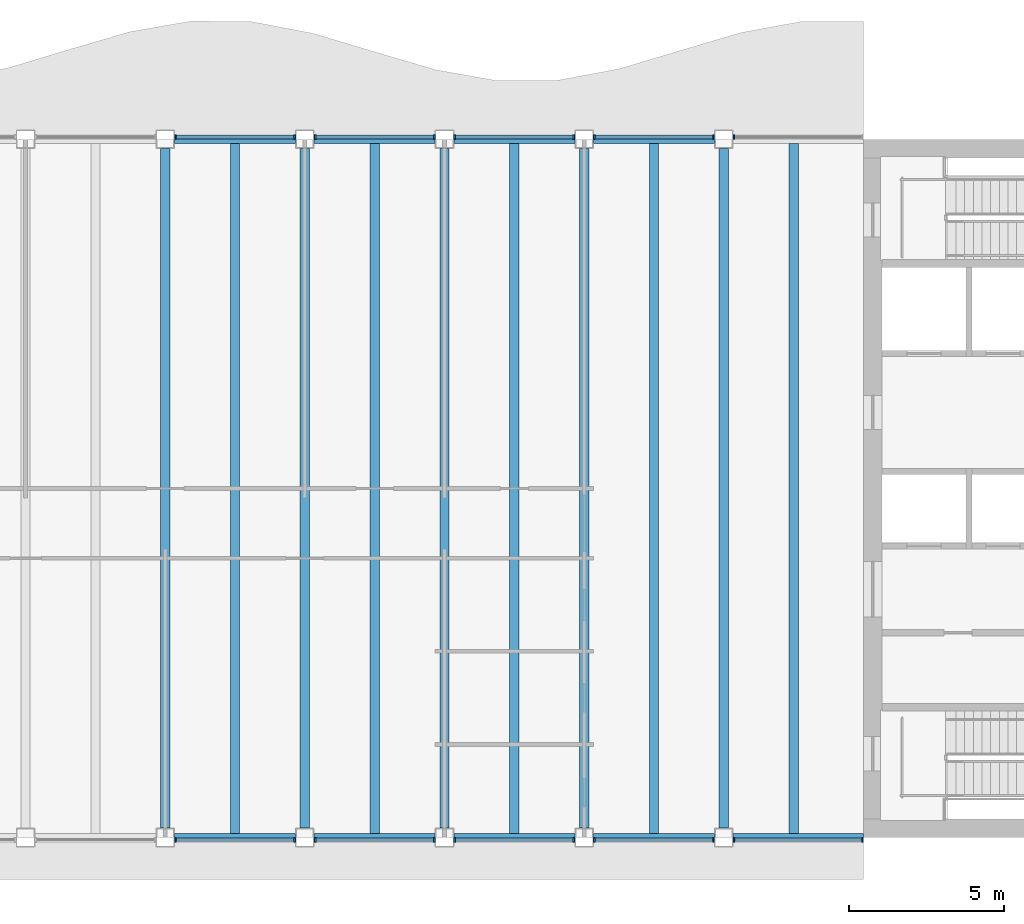
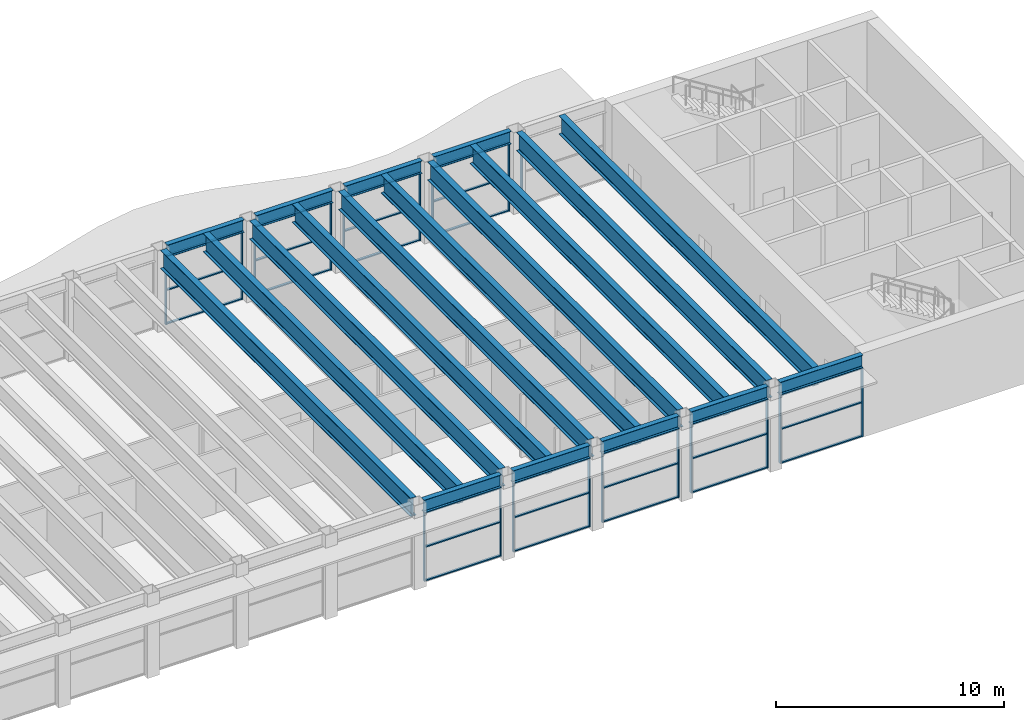
# One storey, part 5 of 14: 46 members, 19 beams, 10 elements without a shape of their own.
"""IFC4 building model written with IfcOpenShell, lengths in metres."""

import ifcopenshell
import ifcopenshell.guid

model = None  # the IFC model being written
_history = None  # IfcOwnerHistory: only IFC2X3 demands one
_inside = {}  # id of a spatial element -> (the spatial element, [elements in it])
_under = {}  # id of a project, library or spatial element -> (it, [spatial elements below it])
_declared = {}  # id of a project -> (the project, [libraries it declares])
_typed = {}  # id of a type object -> (the type object, [elements of that type])
_made_of = {}  # id of a material, layer set ... -> (it, [elements and type objects made of it])


def new_model(schema):
    """Start an empty IFC model of exactly this schema.

    Asked for "IFC4X3", IfcOpenShell would pick the latest addendum, in which some entities
    have other attributes; the version numbers below select the first issue.
    IFC2X3 requires an IfcOwnerHistory on every rooted entity: one is made here for all.
    """
    global model, _history
    if schema == "IFC4X3":
        model = ifcopenshell.file(schema_version=(4, 3, 0, 0))
    else:
        model = ifcopenshell.file(schema=schema)
    _inside.clear()
    _under.clear()
    _declared.clear()
    _typed.clear()
    _made_of.clear()
    _history = None
    if model.schema == "IFC2X3":
        org = make("IfcOrganization", Name="unknown")
        user = make(
            "IfcPersonAndOrganization",
            ThePerson=make("IfcPerson", FamilyName="unknown"),
            TheOrganization=org,
        )
        app = make(
            "IfcApplication",
            ApplicationDeveloper=org,
            Version="unknown",
            ApplicationFullName="unknown",
            ApplicationIdentifier="unknown",
        )
        _history = make(
            "IfcOwnerHistory",
            OwningUser=user,
            OwningApplication=app,
            ChangeAction="ADDED",
            CreationDate=0,
        )
    return model


def make(cls, **values):
    """One entity of the class cls with the attributes given. An attribute that is None is left unset."""
    return model.create_entity(
        cls, **{name: value for name, value in values.items() if value is not None}
    )


def rooted(cls, **values):
    """An entity with a GlobalId (a new one), such as an element, a storey or a relation."""
    return make(cls, GlobalId=ifcopenshell.guid.new(), OwnerHistory=_history, **values)


def si_unit(unit_type, name, prefix=None):
    """IfcSIUnit, for example si_unit("LENGTHUNIT", "METRE", prefix="MILLI")."""
    return make("IfcSIUnit", UnitType=unit_type, Prefix=prefix, Name=name)


def assignment(units):
    """IfcUnitAssignment: the units of a project."""
    return None if units is None else make("IfcUnitAssignment", Units=units)


def point(xyz):
    """IfcCartesianPoint."""
    return None if xyz is None else make("IfcCartesianPoint", Coordinates=xyz)


def direction(xyz):
    """IfcDirection."""
    return None if xyz is None else make("IfcDirection", DirectionRatios=xyz)


def frame(location, z_axis=None, x_axis=None):
    """IfcAxis2Placement3D, a coordinate frame: its origin and axes. An axis left out is left unset."""
    return make(
        "IfcAxis2Placement3D",
        Location=point(location),
        Axis=direction(z_axis),
        RefDirection=direction(x_axis),
    )


def frame_2d(location, x_axis=None):
    """IfcAxis2Placement2D, a coordinate frame in the plane: its origin and x axis."""
    return make(
        "IfcAxis2Placement2D", Location=point(location), RefDirection=direction(x_axis)
    )


def origin():
    """The frame at (0, 0, 0) with its axes left unset."""
    return frame((0.0, 0.0, 0.0))


def origin_2d():
    """The frame at (0, 0) in the plane with its x axis left unset."""
    return frame_2d((0.0, 0.0))


def place(relative_to, where):
    """IfcLocalPlacement: puts the frame where relative to a parent placement (None: the world)."""
    return make(
        "IfcLocalPlacement", PlacementRelTo=relative_to, RelativePlacement=where
    )


def context(
    kind, dimensions, precision=None, world=None, true_north=None, identifier=None
):
    """IfcGeometricRepresentationContext, for example the 3D "Model" context."""
    return make(
        "IfcGeometricRepresentationContext",
        ContextIdentifier=identifier,
        ContextType=kind,
        CoordinateSpaceDimension=dimensions,
        Precision=precision,
        WorldCoordinateSystem=world,
        TrueNorth=true_north,
    )


def subcontext(parent, identifier, kind, view, scale=None):
    """IfcGeometricRepresentationSubContext, for example "Body" below "Model"."""
    return make(
        "IfcGeometricRepresentationSubContext",
        ContextIdentifier=identifier,
        ContextType=kind,
        ParentContext=parent,
        TargetScale=scale,
        TargetView=view,
    )


def project(units=None, contexts=None):
    """IfcProject with its units and contexts."""
    return rooted(
        "IfcProject",
        Name="project",
        RepresentationContexts=contexts,
        UnitsInContext=assignment(units),
    )


def spatial(cls, under=None, at=None, **own):
    """A site, building, storey or space (cls), placed at a placement, below another one or the project."""
    s = rooted(cls, ObjectPlacement=at, **own)
    if under is not None:
        _under.setdefault(under.id(), (under, []))[1].append(s)
    return s


def profile(cls, at=None, kind="AREA", **sizes):
    """A parametric profile (cls). Its sizes go by their IFC names, for example OverallWidth=200.0."""
    return make(cls, ProfileType=kind, Position=at, **sizes)


def rectangle(**sizes):
    """IfcRectangleProfileDef."""
    return profile("IfcRectangleProfileDef", **sizes)


def i_section(**sizes):
    """IfcIShapeProfileDef."""
    return profile("IfcIShapeProfileDef", **sizes)


def extrude(swept, where, along, depth):
    """IfcExtrudedAreaSolid: the profile swept, set in the frame where, extruded along a direction by depth."""
    return make(
        "IfcExtrudedAreaSolid",
        SweptArea=swept,
        Position=where,
        ExtrudedDirection=direction(along),
        Depth=depth,
    )


def shape(context_of_items, identifier, shape_type, items):
    """IfcShapeRepresentation: the items that make up one representation, for example the "Body"."""
    return make(
        "IfcShapeRepresentation",
        ContextOfItems=context_of_items,
        RepresentationIdentifier=identifier,
        RepresentationType=shape_type,
        Items=items,
    )


def material(Name=None, Category=None):
    """IfcMaterial."""
    return make("IfcMaterial", Name=Name, Category=Category)


def material_profile(
    of_material, cross_section, Name=None, Category=None, Priority=None
):
    """IfcMaterialProfile: a cross section and its material."""
    return make(
        "IfcMaterialProfile",
        Name=Name,
        Material=of_material,
        Profile=cross_section,
        Priority=Priority,
        Category=Category,
    )


def profile_set(profiles, Name=None, composite=None):
    """IfcMaterialProfileSet."""
    return make(
        "IfcMaterialProfileSet",
        Name=Name,
        MaterialProfiles=profiles,
        CompositeProfile=composite,
    )


def made_of(thing, what):
    """Note that an element or type object is made of a material, layer set ...; save() writes the relation."""
    if what is not None:
        _made_of.setdefault(what.id(), (what, []))[1].append(thing)
    return thing


def type_object(cls, material=None, **own):
    """A type object (cls), such as IfcWallType, which elements share."""
    return made_of(rooted(cls, **own), material)


def element(
    cls,
    number,
    at=None,
    inside=None,
    cuts=None,
    type_object=None,
    material=None,
    context=None,
    identifier="Body",
    shape_type=None,
    held_by="IfcProductDefinitionShape",
    body=None,
    shapes=None,
    **own,
):
    """One element of the class cls, such as IfcWall. Its Tag is "e" and its number.

    at: its placement. inside: the storey or other place that contains it. cuts: it is an
    opening in that element (IfcRelVoidsElement). A single representation is given by context,
    identifier, shape_type and body (its items); several are given by shapes. held_by: the class
    of the entity that holds the representations. save() writes the other relations.
    """
    e = rooted(cls, Tag="e%d" % number, ObjectPlacement=at, **own)
    if body is not None:
        shapes = [shape(context, identifier, shape_type, body)]
    if shapes is not None:
        e.Representation = make(held_by, Representations=shapes)
    if inside is not None:
        _inside.setdefault(inside.id(), (inside, []))[1].append(e)
    if cuts is not None:
        rooted(
            "IfcRelVoidsElement", RelatingBuildingElement=cuts, RelatedOpeningElement=e
        )
    if type_object is not None:
        _typed.setdefault(type_object.id(), (type_object, []))[1].append(e)
    return made_of(e, material)


def aggregate(whole, parts):
    """IfcRelAggregates: a whole, such as a stair, and the parts it consists of."""
    return rooted("IfcRelAggregates", RelatingObject=whole, RelatedObjects=parts)


def save(model, path):
    """Write the relations noted so far, then the file.

    IfcRelAggregates (storeys below a building ...), IfcRelContainedInSpatialStructure (elements
    in a storey), IfcRelDefinesByType, IfcRelAssociatesMaterial and IfcRelDeclares: one each for
    every whole, place, type object, material and project.
    """
    for whole, parts in _under.values():
        aggregate(whole, parts)
    for where, things in _inside.values():
        rooted(
            "IfcRelContainedInSpatialStructure",
            RelatedElements=things,
            RelatingStructure=where,
        )
    for kind, things in _typed.values():
        rooted("IfcRelDefinesByType", RelatedObjects=things, RelatingType=kind)
    for what, things in _made_of.values():
        rooted("IfcRelAssociatesMaterial", RelatedObjects=things, RelatingMaterial=what)
    for by, libraries in _declared.values():
        rooted("IfcRelDeclares", RelatingContext=by, RelatedDefinitions=libraries)
    model.write(path)


model = new_model("IFC4")

# Units and contexts
model_context = context("Model", 3, precision=1e-05, world=origin(), true_north=direction((0.0, 1.0)))
body_context = subcontext(model_context, "Body", "Model", "MODEL_VIEW")
ifc_project = project(units=[si_unit("LENGTHUNIT", "METRE"), si_unit("AREAUNIT", "SQUARE_METRE"), si_unit("VOLUMEUNIT", "CUBIC_METRE"), si_unit("PLANEANGLEUNIT", "RADIAN"), si_unit("MASSUNIT", "GRAM", prefix="KILO")], contexts=[model_context])

# Site, building, storey
site_placement = place(None, origin())
site = spatial("IfcSite", under=ifc_project, at=site_placement, CompositionType="ELEMENT")
building_placement = place(site_placement, origin())
building = spatial("IfcBuilding", under=site, at=building_placement, Name="Sennacour Bend Tower", CompositionType="ELEMENT")
storey_placement = place(building_placement, frame((0.0, 0.0, 309.5)))
storey = spatial("IfcBuildingStorey", under=building, at=storey_placement, Name="L71", CompositionType="ELEMENT", Elevation=309.5)

# Curtain wall, members
ifc_material_1 = material(Name="Bronze anodised aluminium curtain wall with clear glass", Category="aluminium")
curtain_wall_type = type_object("IfcCurtainWallType", Name="CURTAIN WALL EXEC", PredefinedType="NOTDEFINED", material=ifc_material_1)
curtain_wall_1_placement = place(storey_placement, origin())
curtain_wall_1 = element("IfcCurtainWall", 1, at=curtain_wall_1_placement, inside=storey, type_object=curtain_wall_type, Name="Executive floor glass wall L71", PredefinedType="NOTDEFINED")
ifc_material_2 = material(Name="Aluminium 6063-T6", Category="aluminium")
ifc_material_profile_1 = material_profile(ifc_material_2, rectangle(XDim=0.14990234375, YDim=0.06005859375, at=origin_2d()), Name="Aluminium 6063-T6", Category="aluminium")
ifc_profile_set_1 = profile_set([ifc_material_profile_1], Name="Aluminium 6063-T6")
member_type_1 = type_object("IfcMemberType", Name="CW-MULLION-150X60", PredefinedType="MULLION", material=ifc_profile_set_1)
member_1_placement = place(storey_placement, frame((31.830078125, -0.074951171875, 0.0), z_axis=(0.0, 0.0, 1.0), x_axis=(0.0, 1.0, 0.0)))
member_1 = element("IfcMember", 2, at=member_1_placement, type_object=member_type_1, Name="GW3 curtain wall mullion 1", PredefinedType="MULLION", context=body_context, shape_type="SweptSolid", body=[
    extrude(rectangle(XDim=0.14990234375, YDim=0.06005859375, at=origin_2d()), origin(), (0.0, 0.0, 1.0), 3.672119140625),
])
member_2_placement = place(storey_placement, frame((35.669921875, -0.074951171875, 0.0), z_axis=(0.0, 0.0, 1.0), x_axis=(0.0, 1.0, 0.0)))
member_2 = element("IfcMember", 3, at=member_2_placement, type_object=member_type_1, Name="GW3 curtain wall mullion 2", PredefinedType="MULLION", context=body_context, shape_type="SweptSolid", body=[
    extrude(rectangle(XDim=0.14990234375, YDim=0.06005859375, at=origin_2d()), origin(), (0.0, 0.0, 1.0), 3.672119140625),
])

curtain_wall_2_placement = place(storey_placement, origin())
curtain_wall_2 = element("IfcCurtainWall", 4, at=curtain_wall_2_placement, inside=storey, type_object=curtain_wall_type, Name="Executive floor glass wall L71", PredefinedType="NOTDEFINED")
member_3_placement = place(storey_placement, frame((36.330078125, -0.074951171875, 0.0), z_axis=(0.0, 0.0, 1.0), x_axis=(0.0, 1.0, 0.0)))
member_3 = element("IfcMember", 5, at=member_3_placement, type_object=member_type_1, Name="GW3 curtain wall mullion 1", PredefinedType="MULLION", context=body_context, shape_type="SweptSolid", body=[
    extrude(rectangle(XDim=0.14990234375, YDim=0.06005859375, at=origin_2d()), origin(), (0.0, 0.0, 1.0), 3.672119140625),
])
member_4_placement = place(storey_placement, frame((40.169921875, -0.074951171875, 0.0), z_axis=(0.0, 0.0, 1.0), x_axis=(0.0, 1.0, 0.0)))
member_4 = element("IfcMember", 6, at=member_4_placement, type_object=member_type_1, Name="GW3 curtain wall mullion 2", PredefinedType="MULLION", context=body_context, shape_type="SweptSolid", body=[
    extrude(rectangle(XDim=0.14990234375, YDim=0.06005859375, at=origin_2d()), origin(), (0.0, 0.0, 1.0), 3.672119140625),
])

curtain_wall_3_placement = place(storey_placement, origin())
curtain_wall_3 = element("IfcCurtainWall", 7, at=curtain_wall_3_placement, inside=storey, type_object=curtain_wall_type, Name="Executive floor glass wall L71", PredefinedType="NOTDEFINED")
member_5_placement = place(storey_placement, frame((40.830078125, -0.074951171875, 0.0), z_axis=(0.0, 0.0, 1.0), x_axis=(0.0, 1.0, 0.0)))
member_5 = element("IfcMember", 8, at=member_5_placement, type_object=member_type_1, Name="GW3 curtain wall mullion 1", PredefinedType="MULLION", context=body_context, shape_type="SweptSolid", body=[
    extrude(rectangle(XDim=0.14990234375, YDim=0.06005859375, at=origin_2d()), origin(), (0.0, 0.0, 1.0), 3.672119140625),
])
member_6_placement = place(storey_placement, frame((44.669921875, -0.074951171875, 0.0), z_axis=(0.0, 0.0, 1.0), x_axis=(0.0, 1.0, 0.0)))
member_6 = element("IfcMember", 9, at=member_6_placement, type_object=member_type_1, Name="GW3 curtain wall mullion 2", PredefinedType="MULLION", context=body_context, shape_type="SweptSolid", body=[
    extrude(rectangle(XDim=0.14990234375, YDim=0.06005859375, at=origin_2d()), origin(), (0.0, 0.0, 1.0), 3.672119140625),
])

curtain_wall_4_placement = place(storey_placement, origin())
curtain_wall_4 = element("IfcCurtainWall", 10, at=curtain_wall_4_placement, inside=storey, type_object=curtain_wall_type, Name="Executive floor glass wall L71", PredefinedType="NOTDEFINED")
member_7_placement = place(storey_placement, frame((45.330078125, -0.074951171875, 0.0), z_axis=(0.0, 0.0, 1.0), x_axis=(0.0, 1.0, 0.0)))
member_7 = element("IfcMember", 11, at=member_7_placement, type_object=member_type_1, Name="GW3 curtain wall mullion 1", PredefinedType="MULLION", context=body_context, shape_type="SweptSolid", body=[
    extrude(rectangle(XDim=0.14990234375, YDim=0.06005859375, at=origin_2d()), origin(), (0.0, 0.0, 1.0), 3.672119140625),
])
member_8_placement = place(storey_placement, frame((49.169921875, -0.074951171875, 0.0), z_axis=(0.0, 0.0, 1.0), x_axis=(0.0, 1.0, 0.0)))
member_8 = element("IfcMember", 12, at=member_8_placement, type_object=member_type_1, Name="GW3 curtain wall mullion 2", PredefinedType="MULLION", context=body_context, shape_type="SweptSolid", body=[
    extrude(rectangle(XDim=0.14990234375, YDim=0.06005859375, at=origin_2d()), origin(), (0.0, 0.0, 1.0), 3.672119140625),
])

curtain_wall_5_placement = place(storey_placement, origin())
curtain_wall_5 = element("IfcCurtainWall", 13, at=curtain_wall_5_placement, inside=storey, type_object=curtain_wall_type, Name="Executive floor glass wall L71", PredefinedType="NOTDEFINED")
member_9_placement = place(storey_placement, frame((49.830078125, -0.074951171875, 0.0), z_axis=(0.0, 0.0, 1.0), x_axis=(0.0, 1.0, 0.0)))
member_9 = element("IfcMember", 14, at=member_9_placement, type_object=member_type_1, Name="GW3 curtain wall mullion 1", PredefinedType="MULLION", context=body_context, shape_type="SweptSolid", body=[
    extrude(rectangle(XDim=0.14990234375, YDim=0.06005859375, at=origin_2d()), origin(), (0.0, 0.0, 1.0), 3.672119140625),
])
member_10_placement = place(storey_placement, frame((53.969970703125, -0.074951171875, 0.0), z_axis=(0.0, 0.0, 1.0), x_axis=(0.0, 1.0, 0.0)))
member_10 = element("IfcMember", 15, at=member_10_placement, type_object=member_type_1, Name="GW3 curtain wall mullion 2", PredefinedType="MULLION", context=body_context, shape_type="SweptSolid", body=[
    extrude(rectangle(XDim=0.14990234375, YDim=0.06005859375, at=origin_2d()), origin(), (0.0, 0.0, 1.0), 3.672119140625),
])

# Curtain wall, member
curtain_wall_6_placement = place(storey_placement, origin())
curtain_wall_6 = element("IfcCurtainWall", 16, at=curtain_wall_6_placement, inside=storey, type_object=curtain_wall_type, Name="Executive floor glass wall L71", PredefinedType="NOTDEFINED")
member_11_placement = place(storey_placement, frame((49.830078125, 22.574951171875, 0.0), z_axis=(0.0, 0.0, 1.0), x_axis=(0.0, -1.0, 0.0)))
member_11 = element("IfcMember", 17, at=member_11_placement, type_object=member_type_1, Name="GW3 curtain wall mullion 2", PredefinedType="MULLION", context=body_context, shape_type="SweptSolid", body=[
    extrude(rectangle(XDim=0.14990234375, YDim=0.06005859375, at=origin_2d()), origin(), (0.0, 0.0, 1.0), 3.672119140625),
])
aggregate(curtain_wall_6, [member_11])

# Curtain wall, members
curtain_wall_7_placement = place(storey_placement, origin())
curtain_wall_7 = element("IfcCurtainWall", 18, at=curtain_wall_7_placement, inside=storey, type_object=curtain_wall_type, Name="Executive floor glass wall L71", PredefinedType="NOTDEFINED")
member_12_placement = place(storey_placement, frame((49.169921875, 22.574951171875, 0.0), z_axis=(0.0, 0.0, 1.0), x_axis=(0.0, -1.0, 0.0)))
member_12 = element("IfcMember", 19, at=member_12_placement, type_object=member_type_1, Name="GW3 curtain wall mullion 1", PredefinedType="MULLION", context=body_context, shape_type="SweptSolid", body=[
    extrude(rectangle(XDim=0.14990234375, YDim=0.06005859375, at=origin_2d()), origin(), (0.0, 0.0, 1.0), 3.672119140625),
])
member_13_placement = place(storey_placement, frame((45.330078125, 22.574951171875, 0.0), z_axis=(0.0, 0.0, 1.0), x_axis=(0.0, -1.0, 0.0)))
member_13 = element("IfcMember", 20, at=member_13_placement, type_object=member_type_1, Name="GW3 curtain wall mullion 2", PredefinedType="MULLION", context=body_context, shape_type="SweptSolid", body=[
    extrude(rectangle(XDim=0.14990234375, YDim=0.06005859375, at=origin_2d()), origin(), (0.0, 0.0, 1.0), 3.672119140625),
])

curtain_wall_8_placement = place(storey_placement, origin())
curtain_wall_8 = element("IfcCurtainWall", 21, at=curtain_wall_8_placement, inside=storey, type_object=curtain_wall_type, Name="Executive floor glass wall L71", PredefinedType="NOTDEFINED")
member_14_placement = place(storey_placement, frame((44.669921875, 22.574951171875, 0.0), z_axis=(0.0, 0.0, 1.0), x_axis=(0.0, -1.0, 0.0)))
member_14 = element("IfcMember", 22, at=member_14_placement, type_object=member_type_1, Name="GW3 curtain wall mullion 1", PredefinedType="MULLION", context=body_context, shape_type="SweptSolid", body=[
    extrude(rectangle(XDim=0.14990234375, YDim=0.06005859375, at=origin_2d()), origin(), (0.0, 0.0, 1.0), 3.672119140625),
])
member_15_placement = place(storey_placement, frame((40.830078125, 22.574951171875, 0.0), z_axis=(0.0, 0.0, 1.0), x_axis=(0.0, -1.0, 0.0)))
member_15 = element("IfcMember", 23, at=member_15_placement, type_object=member_type_1, Name="GW3 curtain wall mullion 2", PredefinedType="MULLION", context=body_context, shape_type="SweptSolid", body=[
    extrude(rectangle(XDim=0.14990234375, YDim=0.06005859375, at=origin_2d()), origin(), (0.0, 0.0, 1.0), 3.672119140625),
])

curtain_wall_9_placement = place(storey_placement, origin())
curtain_wall_9 = element("IfcCurtainWall", 24, at=curtain_wall_9_placement, inside=storey, type_object=curtain_wall_type, Name="Executive floor glass wall L71", PredefinedType="NOTDEFINED")
member_16_placement = place(storey_placement, frame((40.169921875, 22.574951171875, 0.0), z_axis=(0.0, 0.0, 1.0), x_axis=(0.0, -1.0, 0.0)))
member_16 = element("IfcMember", 25, at=member_16_placement, type_object=member_type_1, Name="GW3 curtain wall mullion 1", PredefinedType="MULLION", context=body_context, shape_type="SweptSolid", body=[
    extrude(rectangle(XDim=0.14990234375, YDim=0.06005859375, at=origin_2d()), origin(), (0.0, 0.0, 1.0), 3.672119140625),
])
member_17_placement = place(storey_placement, frame((36.330078125, 22.574951171875, 0.0), z_axis=(0.0, 0.0, 1.0), x_axis=(0.0, -1.0, 0.0)))
member_17 = element("IfcMember", 26, at=member_17_placement, type_object=member_type_1, Name="GW3 curtain wall mullion 2", PredefinedType="MULLION", context=body_context, shape_type="SweptSolid", body=[
    extrude(rectangle(XDim=0.14990234375, YDim=0.06005859375, at=origin_2d()), origin(), (0.0, 0.0, 1.0), 3.672119140625),
])

curtain_wall_10_placement = place(storey_placement, origin())
curtain_wall_10 = element("IfcCurtainWall", 27, at=curtain_wall_10_placement, inside=storey, type_object=curtain_wall_type, Name="Executive floor glass wall L71", PredefinedType="NOTDEFINED")
member_18_placement = place(storey_placement, frame((35.669921875, 22.574951171875, 0.0), z_axis=(0.0, 0.0, 1.0), x_axis=(0.0, -1.0, 0.0)))
member_18 = element("IfcMember", 28, at=member_18_placement, type_object=member_type_1, Name="GW3 curtain wall mullion 1", PredefinedType="MULLION", context=body_context, shape_type="SweptSolid", body=[
    extrude(rectangle(XDim=0.14990234375, YDim=0.06005859375, at=origin_2d()), origin(), (0.0, 0.0, 1.0), 3.672119140625),
])
member_19_placement = place(storey_placement, frame((31.830078125, 22.574951171875, 0.0), z_axis=(0.0, 0.0, 1.0), x_axis=(0.0, -1.0, 0.0)))
member_19 = element("IfcMember", 29, at=member_19_placement, type_object=member_type_1, Name="GW3 curtain wall mullion 2", PredefinedType="MULLION", context=body_context, shape_type="SweptSolid", body=[
    extrude(rectangle(XDim=0.14990234375, YDim=0.06005859375, at=origin_2d()), origin(), (0.0, 0.0, 1.0), 3.672119140625),
])

# Member
ifc_material_profile_2 = material_profile(ifc_material_2, rectangle(XDim=0.1201171875, YDim=0.06005859375, at=origin_2d()), Name="Aluminium 6063-T6", Category="aluminium")
ifc_profile_set_2 = profile_set([ifc_material_profile_2], Name="Aluminium 6063-T6")
member_type_2 = type_object("IfcMemberType", Name="CW-TRANSOM-120X60", PredefinedType="USERDEFINED", material=ifc_profile_set_2)
member_20_placement = place(storey_placement, frame((31.860107421875, -0.074951171875, 0.030029296875), z_axis=(1.0, 0.0, 0.0), x_axis=(0.0, 1.0, 0.0)))
member_20 = element("IfcMember", 30, at=member_20_placement, type_object=member_type_2, Name="GW3 curtain wall transom 1.1", ObjectType="TRANSOM", PredefinedType="USERDEFINED", context=body_context, shape_type="SweptSolid", body=[
    extrude(rectangle(XDim=0.1201171875, YDim=0.06005859375, at=origin_2d()), origin(), (0.0, 0.0, 1.0), 3.77978515625),
])

member_21_placement = place(storey_placement, frame((31.860107421875, -0.074951171875, 1.8359375), z_axis=(1.0, 0.0, 0.0), x_axis=(0.0, 1.0, 0.0)))
member_21 = element("IfcMember", 31, at=member_21_placement, type_object=member_type_2, Name="GW3 curtain wall transom 1.2", ObjectType="TRANSOM", PredefinedType="USERDEFINED", context=body_context, shape_type="SweptSolid", body=[
    extrude(rectangle(XDim=0.1201171875, YDim=0.06005859375, at=origin_2d()), origin(), (0.0, 0.0, 1.0), 3.77978515625),
])

member_22_placement = place(storey_placement, frame((31.860107421875, -0.074951171875, 3.64208984375), z_axis=(1.0, 0.0, 0.0), x_axis=(0.0, 1.0, 0.0)))
member_22 = element("IfcMember", 32, at=member_22_placement, type_object=member_type_2, Name="GW3 curtain wall transom 1.3", ObjectType="TRANSOM", PredefinedType="USERDEFINED", context=body_context, shape_type="SweptSolid", body=[
    extrude(rectangle(XDim=0.1201171875, YDim=0.06005859375, at=origin_2d()), origin(), (0.0, 0.0, 1.0), 3.77978515625),
])

aggregate(curtain_wall_1, [member_1, member_2, member_20, member_21, member_22])

member_23_placement = place(storey_placement, frame((36.360107421875, -0.074951171875, 0.030029296875), z_axis=(1.0, 0.0, 0.0), x_axis=(0.0, 1.0, 0.0)))
member_23 = element("IfcMember", 33, at=member_23_placement, type_object=member_type_2, Name="GW3 curtain wall transom 1.1", ObjectType="TRANSOM", PredefinedType="USERDEFINED", context=body_context, shape_type="SweptSolid", body=[
    extrude(rectangle(XDim=0.1201171875, YDim=0.06005859375, at=origin_2d()), origin(), (0.0, 0.0, 1.0), 3.77978515625),
])

member_24_placement = place(storey_placement, frame((36.360107421875, -0.074951171875, 1.8359375), z_axis=(1.0, 0.0, 0.0), x_axis=(0.0, 1.0, 0.0)))
member_24 = element("IfcMember", 34, at=member_24_placement, type_object=member_type_2, Name="GW3 curtain wall transom 1.2", ObjectType="TRANSOM", PredefinedType="USERDEFINED", context=body_context, shape_type="SweptSolid", body=[
    extrude(rectangle(XDim=0.1201171875, YDim=0.06005859375, at=origin_2d()), origin(), (0.0, 0.0, 1.0), 3.77978515625),
])

member_25_placement = place(storey_placement, frame((36.360107421875, -0.074951171875, 3.64208984375), z_axis=(1.0, 0.0, 0.0), x_axis=(0.0, 1.0, 0.0)))
member_25 = element("IfcMember", 35, at=member_25_placement, type_object=member_type_2, Name="GW3 curtain wall transom 1.3", ObjectType="TRANSOM", PredefinedType="USERDEFINED", context=body_context, shape_type="SweptSolid", body=[
    extrude(rectangle(XDim=0.1201171875, YDim=0.06005859375, at=origin_2d()), origin(), (0.0, 0.0, 1.0), 3.77978515625),
])

aggregate(curtain_wall_2, [member_3, member_4, member_23, member_24, member_25])

member_26_placement = place(storey_placement, frame((40.860107421875, -0.074951171875, 0.030029296875), z_axis=(1.0, 0.0, 0.0), x_axis=(0.0, 1.0, 0.0)))
member_26 = element("IfcMember", 36, at=member_26_placement, type_object=member_type_2, Name="GW3 curtain wall transom 1.1", ObjectType="TRANSOM", PredefinedType="USERDEFINED", context=body_context, shape_type="SweptSolid", body=[
    extrude(rectangle(XDim=0.1201171875, YDim=0.06005859375, at=origin_2d()), origin(), (0.0, 0.0, 1.0), 3.77978515625),
])

member_27_placement = place(storey_placement, frame((40.860107421875, -0.074951171875, 1.8359375), z_axis=(1.0, 0.0, 0.0), x_axis=(0.0, 1.0, 0.0)))
member_27 = element("IfcMember", 37, at=member_27_placement, type_object=member_type_2, Name="GW3 curtain wall transom 1.2", ObjectType="TRANSOM", PredefinedType="USERDEFINED", context=body_context, shape_type="SweptSolid", body=[
    extrude(rectangle(XDim=0.1201171875, YDim=0.06005859375, at=origin_2d()), origin(), (0.0, 0.0, 1.0), 3.77978515625),
])

member_28_placement = place(storey_placement, frame((40.860107421875, -0.074951171875, 3.64208984375), z_axis=(1.0, 0.0, 0.0), x_axis=(0.0, 1.0, 0.0)))
member_28 = element("IfcMember", 38, at=member_28_placement, type_object=member_type_2, Name="GW3 curtain wall transom 1.3", ObjectType="TRANSOM", PredefinedType="USERDEFINED", context=body_context, shape_type="SweptSolid", body=[
    extrude(rectangle(XDim=0.1201171875, YDim=0.06005859375, at=origin_2d()), origin(), (0.0, 0.0, 1.0), 3.77978515625),
])

aggregate(curtain_wall_3, [member_5, member_6, member_26, member_27, member_28])

member_29_placement = place(storey_placement, frame((45.360107421875, -0.074951171875, 0.030029296875), z_axis=(1.0, 0.0, 0.0), x_axis=(0.0, 1.0, 0.0)))
member_29 = element("IfcMember", 39, at=member_29_placement, type_object=member_type_2, Name="GW3 curtain wall transom 1.1", ObjectType="TRANSOM", PredefinedType="USERDEFINED", context=body_context, shape_type="SweptSolid", body=[
    extrude(rectangle(XDim=0.1201171875, YDim=0.06005859375, at=origin_2d()), origin(), (0.0, 0.0, 1.0), 3.77978515625),
])

member_30_placement = place(storey_placement, frame((45.360107421875, -0.074951171875, 1.8359375), z_axis=(1.0, 0.0, 0.0), x_axis=(0.0, 1.0, 0.0)))
member_30 = element("IfcMember", 40, at=member_30_placement, type_object=member_type_2, Name="GW3 curtain wall transom 1.2", ObjectType="TRANSOM", PredefinedType="USERDEFINED", context=body_context, shape_type="SweptSolid", body=[
    extrude(rectangle(XDim=0.1201171875, YDim=0.06005859375, at=origin_2d()), origin(), (0.0, 0.0, 1.0), 3.77978515625),
])

member_31_placement = place(storey_placement, frame((45.360107421875, -0.074951171875, 3.64208984375), z_axis=(1.0, 0.0, 0.0), x_axis=(0.0, 1.0, 0.0)))
member_31 = element("IfcMember", 41, at=member_31_placement, type_object=member_type_2, Name="GW3 curtain wall transom 1.3", ObjectType="TRANSOM", PredefinedType="USERDEFINED", context=body_context, shape_type="SweptSolid", body=[
    extrude(rectangle(XDim=0.1201171875, YDim=0.06005859375, at=origin_2d()), origin(), (0.0, 0.0, 1.0), 3.77978515625),
])

aggregate(curtain_wall_4, [member_7, member_8, member_29, member_30, member_31])

member_32_placement = place(storey_placement, frame((49.860107421875, -0.074951171875, 0.030029296875), z_axis=(1.0, 0.0, 0.0), x_axis=(0.0, 1.0, 0.0)))
member_32 = element("IfcMember", 42, at=member_32_placement, type_object=member_type_2, Name="GW3 curtain wall transom 1.1", ObjectType="TRANSOM", PredefinedType="USERDEFINED", context=body_context, shape_type="SweptSolid", body=[
    extrude(rectangle(XDim=0.1201171875, YDim=0.06005859375, at=origin_2d()), origin(), (0.0, 0.0, 1.0), 4.079833984375),
])

member_33_placement = place(storey_placement, frame((49.860107421875, -0.074951171875, 1.8359375), z_axis=(1.0, 0.0, 0.0), x_axis=(0.0, 1.0, 0.0)))
member_33 = element("IfcMember", 43, at=member_33_placement, type_object=member_type_2, Name="GW3 curtain wall transom 1.2", ObjectType="TRANSOM", PredefinedType="USERDEFINED", context=body_context, shape_type="SweptSolid", body=[
    extrude(rectangle(XDim=0.1201171875, YDim=0.06005859375, at=origin_2d()), origin(), (0.0, 0.0, 1.0), 4.079833984375),
])

member_34_placement = place(storey_placement, frame((49.860107421875, -0.074951171875, 3.64208984375), z_axis=(1.0, 0.0, 0.0), x_axis=(0.0, 1.0, 0.0)))
member_34 = element("IfcMember", 44, at=member_34_placement, type_object=member_type_2, Name="GW3 curtain wall transom 1.3", ObjectType="TRANSOM", PredefinedType="USERDEFINED", context=body_context, shape_type="SweptSolid", body=[
    extrude(rectangle(XDim=0.1201171875, YDim=0.06005859375, at=origin_2d()), origin(), (0.0, 0.0, 1.0), 4.079833984375),
])

aggregate(curtain_wall_5, [member_9, member_10, member_32, member_33, member_34])

member_35_placement = place(storey_placement, frame((49.139892578125, 22.574951171875, 0.030029296875), z_axis=(-1.0, 0.0, 0.0), x_axis=(0.0, -1.0, 0.0)))
member_35 = element("IfcMember", 45, at=member_35_placement, type_object=member_type_2, Name="GW3 curtain wall transom 1.1", ObjectType="TRANSOM", PredefinedType="USERDEFINED", context=body_context, shape_type="SweptSolid", body=[
    extrude(rectangle(XDim=0.1201171875, YDim=0.06005859375, at=origin_2d()), origin(), (0.0, 0.0, 1.0), 3.77978515625),
])

member_36_placement = place(storey_placement, frame((49.139892578125, 22.574951171875, 1.8359375), z_axis=(-1.0, 0.0, 0.0), x_axis=(0.0, -1.0, 0.0)))
member_36 = element("IfcMember", 46, at=member_36_placement, type_object=member_type_2, Name="GW3 curtain wall transom 1.2", ObjectType="TRANSOM", PredefinedType="USERDEFINED", context=body_context, shape_type="SweptSolid", body=[
    extrude(rectangle(XDim=0.1201171875, YDim=0.06005859375, at=origin_2d()), origin(), (0.0, 0.0, 1.0), 3.77978515625),
])

member_37_placement = place(storey_placement, frame((49.139892578125, 22.574951171875, 3.64208984375), z_axis=(-1.0, 0.0, 0.0), x_axis=(0.0, -1.0, 0.0)))
member_37 = element("IfcMember", 47, at=member_37_placement, type_object=member_type_2, Name="GW3 curtain wall transom 1.3", ObjectType="TRANSOM", PredefinedType="USERDEFINED", context=body_context, shape_type="SweptSolid", body=[
    extrude(rectangle(XDim=0.1201171875, YDim=0.06005859375, at=origin_2d()), origin(), (0.0, 0.0, 1.0), 3.77978515625),
])

aggregate(curtain_wall_7, [member_12, member_13, member_35, member_36, member_37])

member_38_placement = place(storey_placement, frame((44.639892578125, 22.574951171875, 0.030029296875), z_axis=(-1.0, 0.0, 0.0), x_axis=(0.0, -1.0, 0.0)))
member_38 = element("IfcMember", 48, at=member_38_placement, type_object=member_type_2, Name="GW3 curtain wall transom 1.1", ObjectType="TRANSOM", PredefinedType="USERDEFINED", context=body_context, shape_type="SweptSolid", body=[
    extrude(rectangle(XDim=0.1201171875, YDim=0.06005859375, at=origin_2d()), origin(), (0.0, 0.0, 1.0), 3.77978515625),
])

member_39_placement = place(storey_placement, frame((44.639892578125, 22.574951171875, 1.8359375), z_axis=(-1.0, 0.0, 0.0), x_axis=(0.0, -1.0, 0.0)))
member_39 = element("IfcMember", 49, at=member_39_placement, type_object=member_type_2, Name="GW3 curtain wall transom 1.2", ObjectType="TRANSOM", PredefinedType="USERDEFINED", context=body_context, shape_type="SweptSolid", body=[
    extrude(rectangle(XDim=0.1201171875, YDim=0.06005859375, at=origin_2d()), origin(), (0.0, 0.0, 1.0), 3.77978515625),
])

member_40_placement = place(storey_placement, frame((44.639892578125, 22.574951171875, 3.64208984375), z_axis=(-1.0, 0.0, 0.0), x_axis=(0.0, -1.0, 0.0)))
member_40 = element("IfcMember", 50, at=member_40_placement, type_object=member_type_2, Name="GW3 curtain wall transom 1.3", ObjectType="TRANSOM", PredefinedType="USERDEFINED", context=body_context, shape_type="SweptSolid", body=[
    extrude(rectangle(XDim=0.1201171875, YDim=0.06005859375, at=origin_2d()), origin(), (0.0, 0.0, 1.0), 3.77978515625),
])

aggregate(curtain_wall_8, [member_14, member_15, member_38, member_39, member_40])

member_41_placement = place(storey_placement, frame((40.139892578125, 22.574951171875, 0.030029296875), z_axis=(-1.0, 0.0, 0.0), x_axis=(0.0, -1.0, 0.0)))
member_41 = element("IfcMember", 51, at=member_41_placement, type_object=member_type_2, Name="GW3 curtain wall transom 1.1", ObjectType="TRANSOM", PredefinedType="USERDEFINED", context=body_context, shape_type="SweptSolid", body=[
    extrude(rectangle(XDim=0.1201171875, YDim=0.06005859375, at=origin_2d()), origin(), (0.0, 0.0, 1.0), 3.77978515625),
])

member_42_placement = place(storey_placement, frame((40.139892578125, 22.574951171875, 1.8359375), z_axis=(-1.0, 0.0, 0.0), x_axis=(0.0, -1.0, 0.0)))
member_42 = element("IfcMember", 52, at=member_42_placement, type_object=member_type_2, Name="GW3 curtain wall transom 1.2", ObjectType="TRANSOM", PredefinedType="USERDEFINED", context=body_context, shape_type="SweptSolid", body=[
    extrude(rectangle(XDim=0.1201171875, YDim=0.06005859375, at=origin_2d()), origin(), (0.0, 0.0, 1.0), 3.77978515625),
])

member_43_placement = place(storey_placement, frame((40.139892578125, 22.574951171875, 3.64208984375), z_axis=(-1.0, 0.0, 0.0), x_axis=(0.0, -1.0, 0.0)))
member_43 = element("IfcMember", 53, at=member_43_placement, type_object=member_type_2, Name="GW3 curtain wall transom 1.3", ObjectType="TRANSOM", PredefinedType="USERDEFINED", context=body_context, shape_type="SweptSolid", body=[
    extrude(rectangle(XDim=0.1201171875, YDim=0.06005859375, at=origin_2d()), origin(), (0.0, 0.0, 1.0), 3.77978515625),
])

aggregate(curtain_wall_9, [member_16, member_17, member_41, member_42, member_43])

member_44_placement = place(storey_placement, frame((35.639892578125, 22.574951171875, 0.030029296875), z_axis=(-1.0, 0.0, 0.0), x_axis=(0.0, -1.0, 0.0)))
member_44 = element("IfcMember", 54, at=member_44_placement, type_object=member_type_2, Name="GW3 curtain wall transom 1.1", ObjectType="TRANSOM", PredefinedType="USERDEFINED", context=body_context, shape_type="SweptSolid", body=[
    extrude(rectangle(XDim=0.1201171875, YDim=0.06005859375, at=origin_2d()), origin(), (0.0, 0.0, 1.0), 3.77978515625),
])

member_45_placement = place(storey_placement, frame((35.639892578125, 22.574951171875, 1.8359375), z_axis=(-1.0, 0.0, 0.0), x_axis=(0.0, -1.0, 0.0)))
member_45 = element("IfcMember", 55, at=member_45_placement, type_object=member_type_2, Name="GW3 curtain wall transom 1.2", ObjectType="TRANSOM", PredefinedType="USERDEFINED", context=body_context, shape_type="SweptSolid", body=[
    extrude(rectangle(XDim=0.1201171875, YDim=0.06005859375, at=origin_2d()), origin(), (0.0, 0.0, 1.0), 3.77978515625),
])

member_46_placement = place(storey_placement, frame((35.639892578125, 22.574951171875, 3.64208984375), z_axis=(-1.0, 0.0, 0.0), x_axis=(0.0, -1.0, 0.0)))
member_46 = element("IfcMember", 56, at=member_46_placement, type_object=member_type_2, Name="GW3 curtain wall transom 1.3", ObjectType="TRANSOM", PredefinedType="USERDEFINED", context=body_context, shape_type="SweptSolid", body=[
    extrude(rectangle(XDim=0.1201171875, YDim=0.06005859375, at=origin_2d()), origin(), (0.0, 0.0, 1.0), 3.77978515625),
])

aggregate(curtain_wall_10, [member_18, member_19, member_44, member_45, member_46])

# Beams
ifc_material_3 = material(Name="Steel ASTM A992 Grade 50", Category="steel")
ifc_material_profile_3 = material_profile(ifc_material_3, i_section(OverallWidth=0.300048828125, OverallDepth=0.990966796875, WebThickness=0.0166015625, FlangeThickness=0.030517578125, FilletRadius=0.030029296875, at=origin_2d()), Name="Steel ASTM A992 Grade 50", Category="steel")
ifc_profile_set_3 = profile_set([ifc_material_profile_3], Name="Steel ASTM A992 Grade 50")
beam_type_1 = type_object("IfcBeamType", Name="Floor beam W1000X272", PredefinedType="BEAM", material=ifc_profile_set_3)
beam_1_placement = place(storey_placement, frame((31.5, 0.300048828125, 3.8544921875), z_axis=(0.0, 1.0, 0.0), x_axis=(-1.0, 0.0, 0.0)))
element("IfcBeam", 57, at=beam_1_placement, inside=storey, type_object=beam_type_1, Name="Floor beam FBM3 L72-014", PredefinedType="BEAM", context=body_context, shape_type="SweptSolid", body=[
    extrude(i_section(OverallWidth=0.300048828125, OverallDepth=0.990966796875, WebThickness=0.0166015625, FlangeThickness=0.030517578125, FilletRadius=0.030029296875, at=origin_2d()), origin(), (0.0, 0.0, 1.0), 21.89990234375),
])
beam_2_placement = place(storey_placement, frame((33.75, 0.126953125, 3.8544921875), z_axis=(0.0, 1.0, 0.0), x_axis=(-1.0, 0.0, 0.0)))
element("IfcBeam", 58, at=beam_2_placement, inside=storey, type_object=beam_type_1, Name="Floor beam FBM3 L72-015", PredefinedType="BEAM", context=body_context, shape_type="SweptSolid", body=[
    extrude(i_section(OverallWidth=0.300048828125, OverallDepth=0.990966796875, WebThickness=0.0166015625, FlangeThickness=0.030517578125, FilletRadius=0.030029296875, at=origin_2d()), origin(), (0.0, 0.0, 1.0), 22.24609375),
])
beam_3_placement = place(storey_placement, frame((36.0, 0.300048828125, 3.8544921875), z_axis=(0.0, 1.0, 0.0), x_axis=(-1.0, 0.0, 0.0)))
element("IfcBeam", 59, at=beam_3_placement, inside=storey, type_object=beam_type_1, Name="Floor beam FBM3 L72-016", PredefinedType="BEAM", context=body_context, shape_type="SweptSolid", body=[
    extrude(i_section(OverallWidth=0.300048828125, OverallDepth=0.990966796875, WebThickness=0.0166015625, FlangeThickness=0.030517578125, FilletRadius=0.030029296875, at=origin_2d()), origin(), (0.0, 0.0, 1.0), 21.89990234375),
])
beam_4_placement = place(storey_placement, frame((38.25, 0.126953125, 3.8544921875), z_axis=(0.0, 1.0, 0.0), x_axis=(-1.0, 0.0, 0.0)))
element("IfcBeam", 60, at=beam_4_placement, inside=storey, type_object=beam_type_1, Name="Floor beam FBM3 L72-017", PredefinedType="BEAM", context=body_context, shape_type="SweptSolid", body=[
    extrude(i_section(OverallWidth=0.300048828125, OverallDepth=0.990966796875, WebThickness=0.0166015625, FlangeThickness=0.030517578125, FilletRadius=0.030029296875, at=origin_2d()), origin(), (0.0, 0.0, 1.0), 22.24609375),
])
beam_5_placement = place(storey_placement, frame((40.5, 0.300048828125, 3.8544921875), z_axis=(0.0, 1.0, 0.0), x_axis=(-1.0, 0.0, 0.0)))
element("IfcBeam", 61, at=beam_5_placement, inside=storey, type_object=beam_type_1, Name="Floor beam FBM3 L72-018", PredefinedType="BEAM", context=body_context, shape_type="SweptSolid", body=[
    extrude(i_section(OverallWidth=0.300048828125, OverallDepth=0.990966796875, WebThickness=0.0166015625, FlangeThickness=0.030517578125, FilletRadius=0.030029296875, at=origin_2d()), origin(), (0.0, 0.0, 1.0), 21.89990234375),
])
beam_6_placement = place(storey_placement, frame((42.75, 0.126953125, 3.8544921875), z_axis=(0.0, 1.0, 0.0), x_axis=(-1.0, 0.0, 0.0)))
element("IfcBeam", 62, at=beam_6_placement, inside=storey, type_object=beam_type_1, Name="Floor beam FBM3 L72-019", PredefinedType="BEAM", context=body_context, shape_type="SweptSolid", body=[
    extrude(i_section(OverallWidth=0.300048828125, OverallDepth=0.990966796875, WebThickness=0.0166015625, FlangeThickness=0.030517578125, FilletRadius=0.030029296875, at=origin_2d()), origin(), (0.0, 0.0, 1.0), 22.24609375),
])
beam_7_placement = place(storey_placement, frame((45.0, 0.300048828125, 3.8544921875), z_axis=(0.0, 1.0, 0.0), x_axis=(-1.0, 0.0, 0.0)))
element("IfcBeam", 63, at=beam_7_placement, inside=storey, type_object=beam_type_1, Name="Floor beam FBM3 L72-020", PredefinedType="BEAM", context=body_context, shape_type="SweptSolid", body=[
    extrude(i_section(OverallWidth=0.300048828125, OverallDepth=0.990966796875, WebThickness=0.0166015625, FlangeThickness=0.030517578125, FilletRadius=0.030029296875, at=origin_2d()), origin(), (0.0, 0.0, 1.0), 21.89990234375),
])
beam_8_placement = place(storey_placement, frame((47.25, 0.126953125, 3.8544921875), z_axis=(0.0, 1.0, 0.0), x_axis=(-1.0, 0.0, 0.0)))
element("IfcBeam", 64, at=beam_8_placement, inside=storey, type_object=beam_type_1, Name="Floor beam FBM3 L72-021", PredefinedType="BEAM", context=body_context, shape_type="SweptSolid", body=[
    extrude(i_section(OverallWidth=0.300048828125, OverallDepth=0.990966796875, WebThickness=0.0166015625, FlangeThickness=0.030517578125, FilletRadius=0.030029296875, at=origin_2d()), origin(), (0.0, 0.0, 1.0), 22.24609375),
])
beam_9_placement = place(storey_placement, frame((49.5, 0.300048828125, 3.8544921875), z_axis=(0.0, 1.0, 0.0), x_axis=(-1.0, 0.0, 0.0)))
element("IfcBeam", 65, at=beam_9_placement, inside=storey, type_object=beam_type_1, Name="Floor beam FBM3 L72-022", PredefinedType="BEAM", context=body_context, shape_type="SweptSolid", body=[
    extrude(i_section(OverallWidth=0.300048828125, OverallDepth=0.990966796875, WebThickness=0.0166015625, FlangeThickness=0.030517578125, FilletRadius=0.030029296875, at=origin_2d()), origin(), (0.0, 0.0, 1.0), 21.89990234375),
])
beam_10_placement = place(storey_placement, frame((51.75, 0.126953125, 3.8544921875), z_axis=(0.0, 1.0, 0.0), x_axis=(-1.0, 0.0, 0.0)))
element("IfcBeam", 66, at=beam_10_placement, inside=storey, type_object=beam_type_1, Name="Floor beam FBM3 L72-023", PredefinedType="BEAM", context=body_context, shape_type="SweptSolid", body=[
    extrude(i_section(OverallWidth=0.300048828125, OverallDepth=0.990966796875, WebThickness=0.0166015625, FlangeThickness=0.030517578125, FilletRadius=0.030029296875, at=origin_2d()), origin(), (0.0, 0.0, 1.0), 22.24609375),
])
ifc_material_profile_4 = material_profile(ifc_material_3, i_section(OverallWidth=0.25390625, OverallDepth=0.677978515625, WebThickness=0.01171875, FlangeThickness=0.016357421875, FilletRadius=0.01513671875, at=origin_2d()), Name="Steel ASTM A992 Grade 50", Category="steel")
ifc_profile_set_4 = profile_set([ifc_material_profile_4], Name="Steel ASTM A992 Grade 50")
beam_type_2 = type_object("IfcBeamType", Name="Spandrel beam W690X125", PredefinedType="SPANDREL", material=ifc_profile_set_4)
for number, where, z_axis, x_axis, name in (
    (67, (31.800048828125, 22.5, 4.010986328125), (1.0, 0.0, 0.0), (0.0, 1.0, 0.0), "Spandrel beam SP7 L72-013"),
    (68, (36.300048828125, 22.5, 4.010986328125), (1.0, 0.0, 0.0), (0.0, 1.0, 0.0), "Spandrel beam SP7 L72-014"),
    (69, (40.800048828125, 22.5, 4.010986328125), (1.0, 0.0, 0.0), (0.0, 1.0, 0.0), "Spandrel beam SP7 L72-015"),
    (70, (45.300048828125, 22.5, 4.010986328125), (1.0, 0.0, 0.0), (0.0, 1.0, 0.0), "Spandrel beam SP7 L72-016"),
):
    element("IfcBeam", number, at=place(storey_placement, frame(where, z_axis=z_axis, x_axis=x_axis)), inside=storey, type_object=beam_type_2, Name=name, PredefinedType="SPANDREL", context=body_context, shape_type="SweptSolid", body=[
        extrude(i_section(OverallWidth=0.25390625, OverallDepth=0.677978515625, WebThickness=0.01171875, FlangeThickness=0.016357421875, FilletRadius=0.01513671875, at=origin_2d()), origin(), (0.0, 0.0, 1.0), 3.89990234375),
    ])
beam_11_placement = place(storey_placement, frame((54.0, 0.0, 4.010986328125), z_axis=(-1.0, 0.0, 0.0), x_axis=(0.0, -1.0, 0.0)))
element("IfcBeam", 71, at=beam_11_placement, inside=storey, type_object=beam_type_2, Name="Spandrel beam SP7 L72-018", PredefinedType="SPANDREL", context=body_context, shape_type="SweptSolid", body=[
    extrude(i_section(OverallWidth=0.25390625, OverallDepth=0.677978515625, WebThickness=0.01171875, FlangeThickness=0.016357421875, FilletRadius=0.01513671875, at=origin_2d()), origin(), (0.0, 0.0, 1.0), 4.199951171875),
])
for number, where, z_axis, x_axis, name in (
    (72, (49.199951171875, 0.0, 4.010986328125), (-1.0, 0.0, 0.0), (0.0, -1.0, 0.0), "Spandrel beam SP7 L72-019"),
    (73, (44.699951171875, 0.0, 4.010986328125), (-1.0, 0.0, 0.0), (0.0, -1.0, 0.0), "Spandrel beam SP7 L72-020"),
    (74, (40.199951171875, 0.0, 4.010986328125), (-1.0, 0.0, 0.0), (0.0, -1.0, 0.0), "Spandrel beam SP7 L72-021"),
    (75, (35.699951171875, 0.0, 4.010986328125), (-1.0, 0.0, 0.0), (0.0, -1.0, 0.0), "Spandrel beam SP7 L72-022"),
):
    element("IfcBeam", number, at=place(storey_placement, frame(where, z_axis=z_axis, x_axis=x_axis)), inside=storey, type_object=beam_type_2, Name=name, PredefinedType="SPANDREL", context=body_context, shape_type="SweptSolid", body=[
        extrude(i_section(OverallWidth=0.25390625, OverallDepth=0.677978515625, WebThickness=0.01171875, FlangeThickness=0.016357421875, FilletRadius=0.01513671875, at=origin_2d()), origin(), (0.0, 0.0, 1.0), 3.89990234375),
    ])

save(model, "model.ifc")
